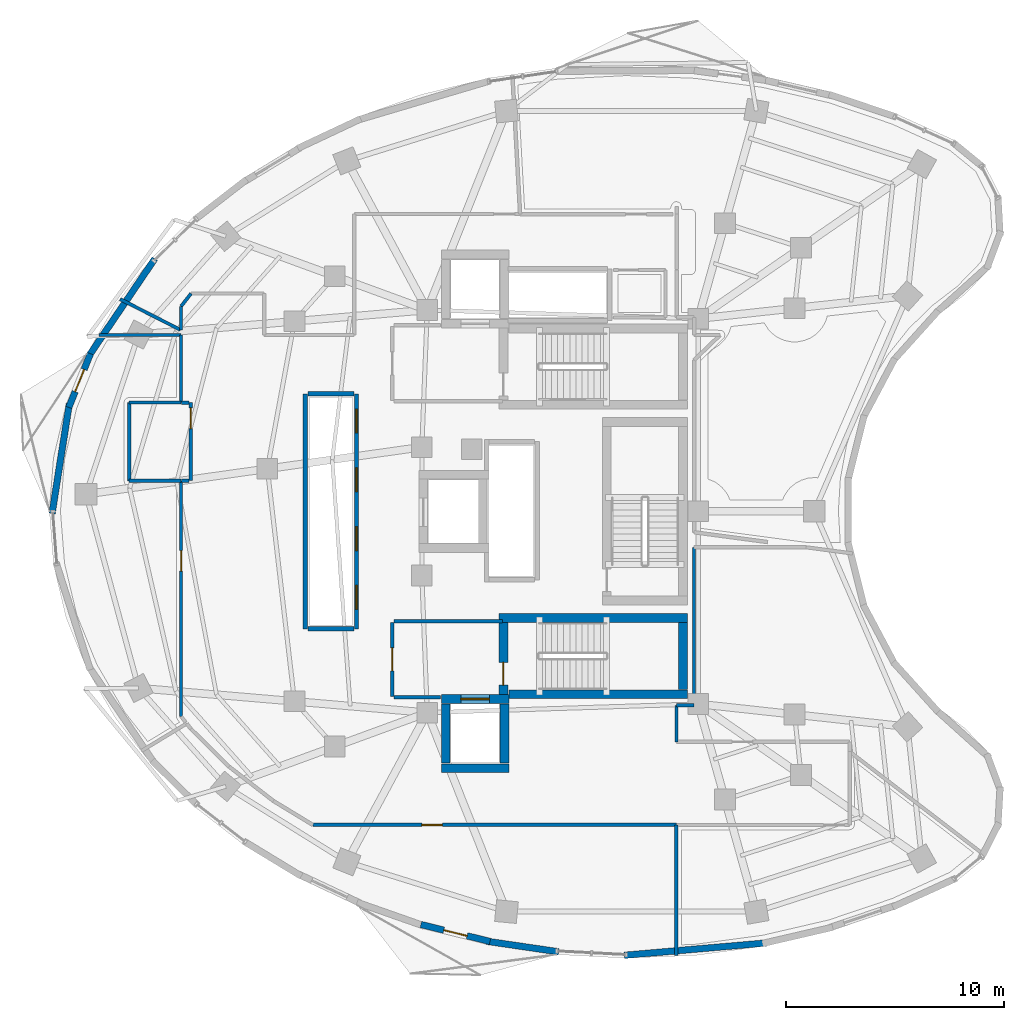
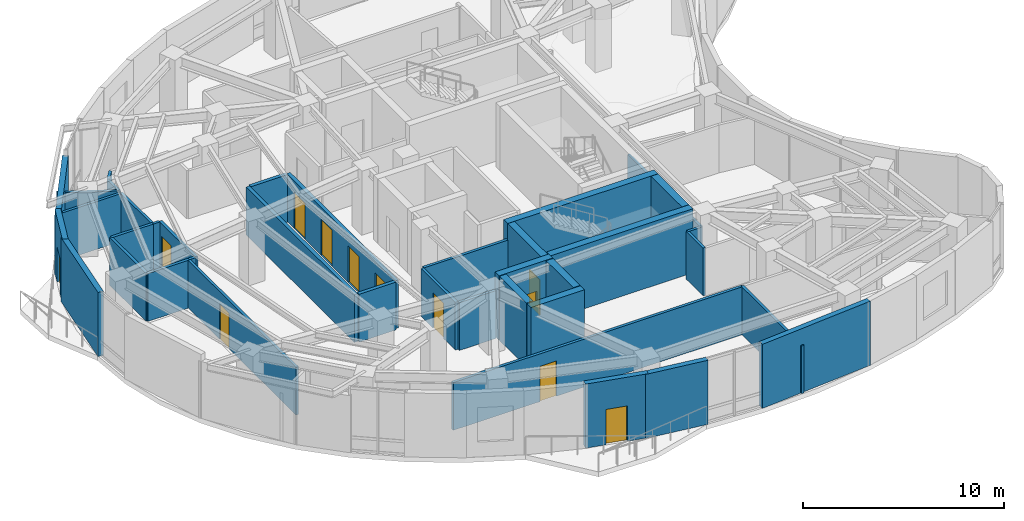
# One storey, part 7 of 12: 38 walls, 12 doors, 12 openings.
"""IFC4 building model written with IfcOpenShell, lengths in metres."""

from ifc_helpers import new_model, si_unit, direction, frame, frame_2d, origin, place, context, subcontext, project, spatial, rectangle, extrude, material, layer, layer_set, type_object, element, fill, save


model = new_model("IFC4")

# Units and contexts
model_context = context("Model", 3, precision=1e-05, world=origin(), true_north=direction((0.0, 1.0)))
body_context = subcontext(model_context, "Body", "Model", "MODEL_VIEW")
ifc_project = project(units=[si_unit("LENGTHUNIT", "METRE"), si_unit("AREAUNIT", "SQUARE_METRE"), si_unit("VOLUMEUNIT", "CUBIC_METRE"), si_unit("PLANEANGLEUNIT", "RADIAN"), si_unit("MASSUNIT", "GRAM", prefix="KILO")], contexts=[model_context])

# Site, building, storey
site_placement = place(None, origin())
site = spatial("IfcSite", under=ifc_project, at=site_placement, CompositionType="ELEMENT")
building_placement = place(site_placement, origin())
building = spatial("IfcBuilding", under=site, at=building_placement, Name="Korentha Bioscience Tower", CompositionType="ELEMENT")
storey_placement = place(building_placement, frame((0.0, 0.0, 179.39990234375)))
storey = spatial("IfcBuildingStorey", under=building, at=storey_placement, Name="L41", CompositionType="ELEMENT", Elevation=179.39990234375)

# Wall, opening, door
ifc_material_1 = material(Name="Double-Stud Acoustic Gypsum", Category="gypsum")
ifc_layer_1 = layer(ifc_material_1, 0.14990234375, Name="Double-Stud Acoustic Gypsum")
ifc_layer_set_1 = layer_set([ifc_layer_1], Name="Double-Stud Acoustic Gypsum (IW-L150)")
wall_type_1 = type_object("IfcWallType", Name="Acoustic Laboratory Partition Wall 150", PredefinedType="PARTITIONING", material=ifc_layer_set_1)
wall_1_placement = place(storey_placement, frame((13.7900390625, 28.389892578125, 0.0), z_axis=(0.0, 0.0, 1.0), x_axis=(0.0, -1.0, 0.0)))
wall_1 = element("IfcWall", 1, at=wall_1_placement, inside=storey, type_object=wall_type_1, Name="L41 Staff Pantry Kitchenette 01 Entrance Wall", PredefinedType="PARTITIONING", context=body_context, shape_type="SweptSolid", body=[
    extrude(rectangle(XDim=10.807373046875, YDim=0.14990234375, at=frame_2d((5.40380859375, 0.0))), origin(), (0.0, 0.0, 1.0), 2.91015625),
])
opening_1_placement = place(wall_1_placement, frame((3.19189453125, 0.0, 0.0)))
opening_1 = element("IfcOpeningElement", 2, at=opening_1_placement, cuts=wall_1, Name="Opening ID-10R", PredefinedType="OPENING", context=body_context, shape_type="SweptSolid", body=[
    extrude(rectangle(XDim=0.949951171875, YDim=2.14990234375, at=frame_2d((0.47509765625, 1.074951171875))), frame((0.0, 0.08984375, 0.0), z_axis=(0.0, -1.0, 0.0), x_axis=(1.0, 0.0, 0.0)), (0.0, 0.0, 1.0), 0.1796875),
])
ifc_material_2 = material(Name="Phenolic Laminate Timber Core", Category="wood")
door_type_1 = type_object("IfcDoorType", Name="Laboratory Single Leaf Door 950x2150 Right", OperationType="SINGLE_SWING_RIGHT", PredefinedType="DOOR", material=ifc_material_2)
door_1_placement = place(opening_1_placement, origin())
door_1 = element("IfcDoor", 3, at=door_1_placement, inside=storey, type_object=door_type_1, Name="L41 Staff Pantry Kitchenette 01 Door", OperationType="SINGLE_SWING_RIGHT", OverallHeight=2.14990234375, OverallWidth=0.949951171875, PredefinedType="DOOR", context=body_context, shape_type="SweptSolid", body=[
    extrude(rectangle(XDim=0.949951171875, YDim=2.14990234375, at=frame_2d((0.47509765625, 1.074951171875))), frame((0.0, 0.02490234375, 0.0), z_axis=(0.0, -1.0, 0.0), x_axis=(1.0, 0.0, 0.0)), (0.0, 0.0, 1.0), 0.050048828125),
])
fill(opening_1, door_1)

# Walls
wall_2_placement = place(storey_placement, frame((10.016357421875, 35.097900390625, 0.0), z_axis=(0.0, 0.0, 1.0), x_axis=(1.0, 0.0, 0.0)))
element("IfcWall", 4, at=wall_2_placement, inside=storey, type_object=wall_type_1, Name="L41 Interior Partition 016", PredefinedType="PARTITIONING", context=body_context, shape_type="SweptSolid", body=[
    extrude(rectangle(XDim=3.773681640625, YDim=0.14990234375, at=frame_2d((1.88671875, 0.0))), origin(), (0.0, 0.0, 1.0), 2.91015625),
])
wall_3_placement = place(storey_placement, frame((13.7900390625, 35.097900390625, 0.0), z_axis=(0.0, 0.0, 1.0), x_axis=(0.0, -1.0, 0.0)))
element("IfcWall", 5, at=wall_3_placement, inside=storey, type_object=wall_type_1, Name="L41 Interior Partition 017", PredefinedType="PARTITIONING", context=body_context, shape_type="SweptSolid", body=[
    extrude(rectangle(XDim=3.087890625, YDim=0.14990234375, at=frame_2d((1.5439453125, 0.0))), origin(), (0.0, 0.0, 1.0), 2.91015625),
])
wall_4_placement = place(storey_placement, frame((36.552001953125, 18.090087890625, 0.0), z_axis=(0.0, 0.0, 1.0), x_axis=(1.0, 0.0, 0.0)))
element("IfcWall", 6, at=wall_4_placement, inside=storey, type_object=wall_type_1, Name="L41 Interior Partition 027", PredefinedType="PARTITIONING", context=body_context, shape_type="SweptSolid", body=[
    extrude(rectangle(XDim=0.798095703125, YDim=0.14990234375, at=frame_2d((0.39892578125, 0.0))), origin(), (0.0, 0.0, 1.0), 2.91015625),
])
wall_5_placement = place(storey_placement, frame((37.360107421875, 18.10009765625, 0.0), z_axis=(0.0, 0.0, 1.0), x_axis=(0.0, 1.0, 0.0)))
element("IfcWall", 7, at=wall_5_placement, inside=storey, type_object=wall_type_1, Name="L41 Interior Partition 028", PredefinedType="PARTITIONING", context=body_context, shape_type="SweptSolid", body=[
    extrude(rectangle(XDim=7.247802734375, YDim=0.14990234375, at=frame_2d((3.6240234375, 0.0))), origin(), (0.0, 0.0, 1.0), 2.91015625),
])
wall_6_placement = place(storey_placement, frame((36.552001953125, 16.409912109375, 0.0), z_axis=(0.0, 0.0, 1.0), x_axis=(0.0, 1.0, 0.0)))
element("IfcWall", 8, at=wall_6_placement, inside=storey, type_object=wall_type_1, Name="L41 Interior Partition 032", PredefinedType="PARTITIONING", context=body_context, shape_type="SweptSolid", body=[
    extrude(rectangle(XDim=1.68017578125, YDim=0.14990234375, at=frame_2d((0.840087890625, 0.0))), origin(), (0.0, 0.0, 1.0), 2.91015625),
])
wall_7_placement = place(storey_placement, frame((14.24755859375, 37.006103515625, 0.0), z_axis=(0.0, 0.0, 1.0), x_axis=(-0.616041172792, -0.787713954063, 0.0)))
element("IfcWall", 9, at=wall_7_placement, inside=storey, type_object=wall_type_1, Name="L41 Interior Partition 049", PredefinedType="PARTITIONING", context=body_context, shape_type="SweptSolid", body=[
    extrude(rectangle(XDim=0.739501953125, YDim=0.14990234375, at=frame_2d((0.36962890625, 0.0))), origin(), (0.0, 0.0, 1.0), 2.91015625),
])
wall_8_placement = place(storey_placement, frame((13.7900390625, 36.41748046875, 0.0), z_axis=(0.0, 0.0, 1.0), x_axis=(0.0, -1.0, 0.0)))
element("IfcWall", 10, at=wall_8_placement, inside=storey, type_object=wall_type_1, Name="L41 Interior Partition 050", PredefinedType="PARTITIONING", context=body_context, shape_type="SweptSolid", body=[
    extrude(rectangle(XDim=1.094482421875, YDim=0.14990234375, at=frame_2d((0.54736328125, 0.0))), origin(), (0.0, 0.0, 1.0), 2.91015625),
])
wall_9_placement = place(storey_placement, frame((13.760498046875, 35.337890625, 0.0), z_axis=(0.0, 0.0, 1.0), x_axis=(-0.890989702295, 0.454023513053, 0.0)))
element("IfcWall", 11, at=wall_9_placement, inside=storey, type_object=wall_type_1, Name="L41 Interior Partition 051", PredefinedType="PARTITIONING", context=body_context, shape_type="SweptSolid", body=[
    extrude(rectangle(XDim=3.10595703125, YDim=0.14990234375, at=frame_2d((1.552978515625, 0.0))), origin(), (0.0, 0.0, 1.0), 2.91015625),
])

# Wall, opening, door
ifc_material_3 = material(Name="Gypsum-Clad Steel Stud", Category="steel")
ifc_layer_2 = layer(ifc_material_3, 0.159912109375, Name="Gypsum-Clad Steel Stud")
ifc_layer_set_2 = layer_set([ifc_layer_2], Name="Gypsum-Clad Steel Stud (IW-C160)")
wall_type_2 = type_object("IfcWallType", Name="Fire-Rated Corridor Partition Wall 160", PredefinedType="PARTITIONING", material=ifc_layer_set_2)
wall_10_placement = place(storey_placement, frame((23.5, 18.5, 0.0), z_axis=(0.0, 0.0, 1.0), x_axis=(0.0, 1.0, 0.0)))
wall_10 = element("IfcWall", 12, at=wall_10_placement, inside=storey, type_object=wall_type_2, Name="L41 FFLS-CW Rated Enclosure Wall", PredefinedType="PARTITIONING", context=body_context, shape_type="SweptSolid", body=[
    extrude(rectangle(XDim=3.39990234375, YDim=0.159912109375, at=frame_2d((1.699951171875, 0.0))), origin(), (0.0, 0.0, 1.0), 2.91015625),
])
opening_2_placement = place(wall_10_placement, frame((1.175048828125, 0.0, 0.0)))
opening_2 = element("IfcOpeningElement", 13, at=opening_2_placement, cuts=wall_10, Name="Opening FD-90R", PredefinedType="OPENING", context=body_context, shape_type="SweptSolid", body=[
    extrude(rectangle(XDim=1.050048828125, YDim=2.14990234375, at=frame_2d((0.52490234375, 1.074951171875))), frame((0.0, 0.0947265625, 0.0), z_axis=(0.0, -1.0, 0.0), x_axis=(1.0, 0.0, 0.0)), (0.0, 0.0, 1.0), 0.189697265625),
])
ifc_material_4 = material(Name="Powder-Coated Fire-Rated Steel", Category="steel")
door_type_2 = type_object("IfcDoorType", Name="Stairwell Fire Exit Door 1050x2150 Right", OperationType="SINGLE_SWING_RIGHT", PredefinedType="DOOR", material=ifc_material_4)
door_2_placement = place(opening_2_placement, origin())
door_2 = element("IfcDoor", 14, at=door_2_placement, inside=storey, type_object=door_type_2, Name="L41 South Firefighting Lobby Door", OperationType="SINGLE_SWING_RIGHT", OverallHeight=2.14990234375, OverallWidth=1.050048828125, PredefinedType="DOOR", context=body_context, shape_type="SweptSolid", body=[
    extrude(rectangle(XDim=1.050048828125, YDim=2.14990234375, at=frame_2d((0.52490234375, 1.074951171875))), frame((0.0, 0.02490234375, 0.0), z_axis=(0.0, -1.0, 0.0), x_axis=(1.0, 0.0, 0.0)), (0.0, 0.0, 1.0), 0.050048828125),
])
fill(opening_2, door_2)

# Walls
wall_11_placement = place(storey_placement, frame((23.580078125, 21.949951171875, 0.0), z_axis=(0.0, 0.0, 1.0), x_axis=(1.0, 0.0, 0.0)))
element("IfcWall", 15, at=wall_11_placement, inside=storey, type_object=wall_type_2, Name="L41 Firefighting Lobby Return Wall FFLS-N", PredefinedType="PARTITIONING", context=body_context, shape_type="SweptSolid", body=[
    extrude(rectangle(XDim=4.969970703125, YDim=0.159912109375, at=frame_2d((2.48486328125, 0.0))), origin(), (0.0, 0.0, 1.0), 2.91015625),
])
wall_12_placement = place(storey_placement, frame((23.580078125, 18.449951171875, 0.0), z_axis=(0.0, 0.0, 1.0), x_axis=(1.0, 0.0, 0.0)))
element("IfcWall", 16, at=wall_12_placement, inside=storey, type_object=wall_type_2, Name="L41 Firefighting Lobby Return Wall FFLS-S", PredefinedType="PARTITIONING", context=body_context, shape_type="SweptSolid", body=[
    extrude(rectangle(XDim=2.119873046875, YDim=0.159912109375, at=frame_2d((1.06005859375, 0.0))), origin(), (0.0, 0.0, 1.0), 2.91015625),
])

# Wall, opening, door
wall_13_placement = place(storey_placement, frame((14.239990234375, 31.989990234375, 0.0), z_axis=(0.0, 0.0, 1.0), x_axis=(0.0, -1.0, 0.0)))
wall_13 = element("IfcWall", 17, at=wall_13_placement, inside=storey, type_object=wall_type_2, Name="L41 Reclaimed Bank-1 North Data Closet Entrance Wall", PredefinedType="PARTITIONING", context=body_context, shape_type="SweptSolid", body=[
    extrude(rectangle(XDim=3.580078125, YDim=0.159912109375, at=frame_2d((1.7900390625, 0.0))), origin(), (0.0, 0.0, 1.0), 2.91015625),
])
opening_3_placement = place(wall_13_placement, frame((0.239990234375, 0.0, 0.0)))
opening_3 = element("IfcOpeningElement", 18, at=opening_3_placement, cuts=wall_13, Name="Opening ID-10L", PredefinedType="OPENING", context=body_context, shape_type="SweptSolid", body=[
    extrude(rectangle(XDim=0.949951171875, YDim=2.14990234375, at=frame_2d((0.47509765625, 1.074951171875))), frame((0.0, 0.0947265625, 0.0), z_axis=(0.0, -1.0, 0.0), x_axis=(1.0, 0.0, 0.0)), (0.0, 0.0, 1.0), 0.189697265625),
])
door_type_3 = type_object("IfcDoorType", Name="Laboratory Single Leaf Door 950x2150 Left", OperationType="SINGLE_SWING_LEFT", PredefinedType="DOOR", material=ifc_material_2)
door_3_placement = place(opening_3_placement, origin())
door_3 = element("IfcDoor", 19, at=door_3_placement, inside=storey, type_object=door_type_3, Name="L41 Reclaimed Bank-1 North Data Closet Door", OperationType="SINGLE_SWING_LEFT", OverallHeight=2.14990234375, OverallWidth=0.949951171875, PredefinedType="DOOR", context=body_context, shape_type="SweptSolid", body=[
    extrude(rectangle(XDim=0.949951171875, YDim=2.14990234375, at=frame_2d((0.47509765625, 1.074951171875))), frame((0.0, 0.02490234375, 0.0), z_axis=(0.0, -1.0, 0.0), x_axis=(1.0, 0.0, 0.0)), (0.0, 0.0, 1.0), 0.050048828125),
])
fill(opening_3, door_3)

wall_14_placement = place(storey_placement, frame((19.849853515625, 12.590087890625, 0.0), z_axis=(0.0, 0.0, 1.0), x_axis=(1.0, 0.0, 0.0)))
wall_14 = element("IfcWall", 20, at=wall_14_placement, inside=storey, type_object=wall_type_2, Name="L41 Biospecimen Archive Store 02 Entrance Wall", PredefinedType="PARTITIONING", context=body_context, shape_type="SweptSolid", body=[
    extrude(rectangle(XDim=16.6982421875, YDim=0.159912109375, at=frame_2d((8.34912109375, 0.0))), origin(), (0.0, 0.0, 1.0), 2.91015625),
])
opening_4_placement = place(wall_14_placement, frame((4.9990234375, 0.0, 0.0)))
opening_4 = element("IfcOpeningElement", 21, at=opening_4_placement, cuts=wall_14, Name="Opening ID-10L", PredefinedType="OPENING", context=body_context, shape_type="SweptSolid", body=[
    extrude(rectangle(XDim=0.949951171875, YDim=2.14990234375, at=frame_2d((0.47509765625, 1.074951171875))), frame((0.0, 0.0947265625, 0.0), z_axis=(0.0, -1.0, 0.0), x_axis=(1.0, 0.0, 0.0)), (0.0, 0.0, 1.0), 0.189697265625),
])
door_4_placement = place(opening_4_placement, origin())
door_4 = element("IfcDoor", 22, at=door_4_placement, inside=storey, type_object=door_type_3, Name="L41 Biospecimen Archive Store 02 Door", OperationType="SINGLE_SWING_LEFT", OverallHeight=2.14990234375, OverallWidth=0.949951171875, PredefinedType="DOOR", context=body_context, shape_type="SweptSolid", body=[
    extrude(rectangle(XDim=0.949951171875, YDim=2.14990234375, at=frame_2d((0.47509765625, 1.074951171875))), frame((0.0, 0.02490234375, 0.0), z_axis=(0.0, -1.0, 0.0), x_axis=(1.0, 0.0, 0.0)), (0.0, 0.0, 1.0), 0.050048828125),
])
fill(opening_4, door_4)

# Walls
for number, where, z_axis, x_axis, name in (
    (23, (13.800048828125, 31.989990234375, 0.0), (0.0, 0.0, 1.0), (1.0, 0.0, 0.0), "L41 Interior Partition 011"),
    (24, (14.156982421875, 28.409912109375, 0.0), (0.0, 0.0, 1.0), (-1.0, 0.0, 0.0), "L41 Interior Partition 012"),
):
    element("IfcWall", number, at=place(storey_placement, frame(where, z_axis=z_axis, x_axis=x_axis)), inside=storey, type_object=wall_type_2, Name=name, PredefinedType="PARTITIONING", context=body_context, shape_type="SweptSolid", body=[
        extrude(rectangle(XDim=0.35693359375, YDim=0.159912109375, at=frame_2d((0.178466796875, 0.0))), origin(), (0.0, 0.0, 1.0), 2.91015625),
    ])
wall_15_placement = place(storey_placement, frame((13.7900390625, 28.39990234375, 0.0), z_axis=(0.0, 0.0, 1.0), x_axis=(-1.0, 0.0, 0.0)))
element("IfcWall", 25, at=wall_15_placement, inside=storey, type_object=wall_type_2, Name="L41 Interior Partition 013", PredefinedType="PARTITIONING", context=body_context, shape_type="SweptSolid", body=[
    extrude(rectangle(XDim=2.39013671875, YDim=0.159912109375, at=frame_2d((1.195068359375, 0.0))), origin(), (0.0, 0.0, 1.0), 2.91015625),
])
wall_16_placement = place(storey_placement, frame((11.39990234375, 28.39990234375, 0.0), z_axis=(0.0, 0.0, 1.0), x_axis=(0.0, 1.0, 0.0)))
element("IfcWall", 26, at=wall_16_placement, inside=storey, type_object=wall_type_2, Name="L41 Interior Partition 014", PredefinedType="PARTITIONING", context=body_context, shape_type="SweptSolid", body=[
    extrude(rectangle(XDim=3.60009765625, YDim=0.159912109375, at=frame_2d((1.800048828125, 0.0))), origin(), (0.0, 0.0, 1.0), 2.91015625),
])
wall_17_placement = place(storey_placement, frame((11.39990234375, 32.0, 0.0), z_axis=(0.0, 0.0, 1.0), x_axis=(1.0, 0.0, 0.0)))
element("IfcWall", 27, at=wall_17_placement, inside=storey, type_object=wall_type_2, Name="L41 Interior Partition 015", PredefinedType="PARTITIONING", context=body_context, shape_type="SweptSolid", body=[
    extrude(rectangle(XDim=2.39013671875, YDim=0.159912109375, at=frame_2d((1.195068359375, 0.0))), origin(), (0.0, 0.0, 1.0), 2.91015625),
])
wall_18_placement = place(storey_placement, frame((36.548095703125, 12.590087890625, 0.0), z_axis=(0.0, 0.0, 1.0), x_axis=(0.0, -1.0, 0.0)))
element("IfcWall", 28, at=wall_18_placement, inside=storey, type_object=wall_type_2, Name="L41 Interior Partition 024", PredefinedType="PARTITIONING", context=body_context, shape_type="SweptSolid", body=[
    extrude(rectangle(XDim=6.00830078125, YDim=0.159912109375, at=frame_2d((3.004150390625, 0.0))), origin(), (0.0, 0.0, 1.0), 2.91015625),
])

# Wall, opening, door
ifc_material_5 = material(Name="Honed Limestone Precast Concrete C40", Category="masonry")
ifc_layer_3 = layer(ifc_material_5, 0.300048828125, Name="Honed Limestone Precast Concrete C40")
ifc_layer_set_3 = layer_set([ifc_layer_3], Name="Honed Limestone Precast Concrete C40 (EW-ST300)")
wall_type_3 = type_object("IfcWallType", Name="Honed Limestone Cavity Spandrel Wall 300", PredefinedType="STANDARD", material=ifc_layer_set_3)
wall_19_placement = place(storey_placement, frame((9.625732421875, 34.2421875, 0.0), z_axis=(0.0, 0.0, 1.0), x_axis=(-0.373983610438, -0.927435312636, 0.0)))
wall_19 = element("IfcWall", 29, at=wall_19_placement, inside=storey, type_object=wall_type_3, Name="L41 Balcony Threshold Wall 02", PredefinedType="STANDARD", context=body_context, shape_type="SweptSolid", body=[
    extrude(rectangle(XDim=2.660888671875, YDim=0.300048828125, at=frame_2d((1.33056640625, 0.0))), origin(), (0.0, 0.0, 1.0), 3.900146484375),
])
opening_5_placement = place(wall_19_placement, frame((0.780517578125, 0.0, 0.0)))
opening_5 = element("IfcOpeningElement", 30, at=opening_5_placement, cuts=wall_19, Name="Opening BD-11R", PredefinedType="OPENING", context=body_context, shape_type="SweptSolid", body=[
    extrude(rectangle(XDim=1.10009765625, YDim=2.14990234375, at=frame_2d((0.550048828125, 1.074951171875))), frame((0.0, 0.1650390625, 0.0), z_axis=(0.0, -1.0, 0.0), x_axis=(1.0, 0.0, 0.0)), (0.0, 0.0, 1.0), 0.329833984375),
])
ifc_material_6 = material(Name="Thermally Broken Glazed Aluminium", Category="aluminium")
door_type_4 = type_object("IfcDoorType", Name="Balcony Terrace Glazed Door 1100x2150 Right", OperationType="SINGLE_SWING_RIGHT", PredefinedType="DOOR", material=ifc_material_6)
door_5_placement = place(opening_5_placement, origin())
door_5 = element("IfcDoor", 31, at=door_5_placement, inside=storey, type_object=door_type_4, Name="L41 Balcony Access Door 02", OperationType="SINGLE_SWING_RIGHT", OverallHeight=2.14990234375, OverallWidth=1.10009765625, PredefinedType="DOOR", context=body_context, shape_type="SweptSolid", body=[
    extrude(rectangle(XDim=1.10009765625, YDim=2.14990234375, at=frame_2d((0.550048828125, 1.074951171875))), frame((0.0, 0.02490234375, 0.0), z_axis=(0.0, -1.0, 0.0), x_axis=(1.0, 0.0, 0.0)), (0.0, 0.0, 1.0), 0.050048828125),
])
fill(opening_5, door_5)

wall_20_placement = place(storey_placement, frame((24.806640625, 8.015625, 0.0), z_axis=(0.0, 0.0, 1.0), x_axis=(0.971312804689, -0.237805457142, 0.0)))
wall_20 = element("IfcWall", 32, at=wall_20_placement, inside=storey, type_object=wall_type_3, Name="L41 Balcony Threshold Wall 03", PredefinedType="STANDARD", context=body_context, shape_type="SweptSolid", body=[
    extrude(rectangle(XDim=3.268798828125, YDim=0.300048828125, at=frame_2d((1.63427734375, 0.0))), origin(), (0.0, 0.0, 1.0), 3.900146484375),
])
opening_6_placement = place(wall_20_placement, frame((1.08447265625, 0.0, 0.0)))
opening_6 = element("IfcOpeningElement", 33, at=opening_6_placement, cuts=wall_20, Name="Opening BD-11L", PredefinedType="OPENING", context=body_context, shape_type="SweptSolid", body=[
    extrude(rectangle(XDim=1.10009765625, YDim=2.14990234375, at=frame_2d((0.550048828125, 1.074951171875))), frame((0.0, 0.1650390625, 0.0), z_axis=(0.0, -1.0, 0.0), x_axis=(1.0, 0.0, 0.0)), (0.0, 0.0, 1.0), 0.329833984375),
])
door_type_5 = type_object("IfcDoorType", Name="Balcony Terrace Glazed Door 1100x2150 Left", OperationType="SINGLE_SWING_LEFT", PredefinedType="DOOR", material=ifc_material_6)
door_6_placement = place(opening_6_placement, origin())
door_6 = element("IfcDoor", 34, at=door_6_placement, inside=storey, type_object=door_type_5, Name="L41 Balcony Access Door 03", OperationType="SINGLE_SWING_LEFT", OverallHeight=2.14990234375, OverallWidth=1.10009765625, PredefinedType="DOOR", context=body_context, shape_type="SweptSolid", body=[
    extrude(rectangle(XDim=1.10009765625, YDim=2.14990234375, at=frame_2d((0.550048828125, 1.074951171875))), frame((0.0, 0.02490234375, 0.0), z_axis=(0.0, -1.0, 0.0), x_axis=(1.0, 0.0, 0.0)), (0.0, 0.0, 1.0), 0.050048828125),
])
fill(opening_6, door_6)

# Walls
wall_21_placement = place(storey_placement, frame((12.580078125, 38.6005859375, 0.0), z_axis=(0.0, 0.0, 1.0), x_axis=(-0.561663900064, -0.827365495634, 0.0)))
element("IfcWall", 35, at=wall_21_placement, inside=storey, type_object=wall_type_3, Name="L41 Limestone Perimeter Closure Wall 14", PredefinedType="STANDARD", context=body_context, shape_type="SweptSolid", body=[
    extrude(rectangle(XDim=5.437744140625, YDim=0.300048828125, at=frame_2d((2.71875, 0.0))), origin(), (0.0, 0.0, 1.0), 3.47021484375),
])
wall_22_placement = place(storey_placement, frame((8.6552734375, 31.947021484375, 0.0), z_axis=(0.0, 0.0, 1.0), x_axis=(-0.155280464429, -0.987870425393, 0.0)))
element("IfcWall", 36, at=wall_22_placement, inside=storey, type_object=wall_type_3, Name="L41 Limestone Perimeter Closure Wall 17", PredefinedType="STANDARD", context=body_context, shape_type="SweptSolid", body=[
    extrude(rectangle(XDim=5.10986328125, YDim=0.300048828125, at=frame_2d((2.554931640625, 0.0))), origin(), (0.0, 0.0, 1.0), 3.900146484375),
])
wall_23_placement = place(storey_placement, frame((27.826416015625, 7.247314453125, 0.0), z_axis=(0.0, 0.0, 1.0), x_axis=(0.98945927954, -0.144811374319, 0.0)))
element("IfcWall", 37, at=wall_23_placement, inside=storey, type_object=wall_type_3, Name="L41 Limestone Perimeter Closure Wall 30", PredefinedType="STANDARD", context=body_context, shape_type="SweptSolid", body=[
    extrude(rectangle(XDim=3.346435546875, YDim=0.300048828125, at=frame_2d((1.67333984375, 0.0))), origin(), (0.0, 0.0, 1.0), 3.900146484375),
])
wall_24_placement = place(storey_placement, frame((34.14892578125, 6.601318359375, 0.0), z_axis=(0.0, 0.0, 1.0), x_axis=(0.996255675021, 0.086455942472, 0.0)))
element("IfcWall", 38, at=wall_24_placement, inside=storey, type_object=wall_type_3, Name="L41 Limestone Perimeter Closure Wall 32", PredefinedType="STANDARD", context=body_context, shape_type="SweptSolid", body=[
    extrude(rectangle(XDim=6.55126953125, YDim=0.300048828125, at=frame_2d((3.275634765625, 0.0))), origin(), (0.0, 0.0, 1.0), 3.900146484375),
])
ifc_material_7 = material(Name="Autoclaved Aerated Concrete Block C25", Category="concrete")
ifc_layer_4 = layer(ifc_material_7, 0.199951171875, Name="Autoclaved Aerated Concrete Block C25")
ifc_layer_set_4 = layer_set([ifc_layer_4], Name="Autoclaved Aerated Concrete Block C25 (IW-S200)")
wall_type_4 = type_object("IfcWallType", Name="Lift and Riser Shaft Enclosure Wall 200", PredefinedType="PARTITIONING", material=ifc_layer_set_4)
wall_25_placement = place(storey_placement, frame((19.5, 21.60009765625, 0.0), z_axis=(0.0, 0.0, 1.0), x_axis=(0.0, 1.0, 0.0)))
element("IfcWall", 39, at=wall_25_placement, inside=storey, type_object=wall_type_4, Name="L41 Lift Bank MID Shaft Wall -X", PredefinedType="PARTITIONING", context=body_context, shape_type="SweptSolid", body=[
    extrude(rectangle(XDim=10.7998046875, YDim=0.199951171875, at=frame_2d((5.39990234375, 0.0))), origin(), (0.0, 0.0, 1.0), 2.91015625),
])

# Wall, openings, doors
wall_26_placement = place(storey_placement, frame((21.85009765625, 21.60009765625, 0.0), z_axis=(0.0, 0.0, 1.0), x_axis=(0.0, 1.0, 0.0)))
wall_26 = element("IfcWall", 40, at=wall_26_placement, inside=storey, type_object=wall_type_4, Name="L41 Lift Bank MID Shaft Wall +X", PredefinedType="PARTITIONING", context=body_context, shape_type="SweptSolid", body=[
    extrude(rectangle(XDim=10.7998046875, YDim=0.199951171875, at=frame_2d((5.39990234375, 0.0))), origin(), (0.0, 0.0, 1.0), 2.91015625),
])
opening_7_placement = place(wall_26_placement, frame((0.89990234375, 0.0, 0.0)))
opening_7 = element("IfcOpeningElement", 41, at=opening_7_placement, cuts=wall_26, Name="Opening LD-11", PredefinedType="OPENING", context=body_context, shape_type="SweptSolid", body=[
    extrude(rectangle(XDim=1.10009765625, YDim=2.199951171875, at=frame_2d((0.550048828125, 1.10009765625))), frame((0.0, 0.11474609375, 0.0), z_axis=(0.0, -1.0, 0.0), x_axis=(1.0, 0.0, 0.0)), (0.0, 0.0, 1.0), 0.229736328125),
])
opening_8_placement = place(wall_26_placement, frame((3.60009765625, 0.0, 0.0)))
opening_8 = element("IfcOpeningElement", 42, at=opening_8_placement, cuts=wall_26, Name="Opening LD-11", PredefinedType="OPENING", context=body_context, shape_type="SweptSolid", body=[
    extrude(rectangle(XDim=1.10009765625, YDim=2.199951171875, at=frame_2d((0.550048828125, 1.10009765625))), frame((0.0, 0.11474609375, 0.0), z_axis=(0.0, -1.0, 0.0), x_axis=(1.0, 0.0, 0.0)), (0.0, 0.0, 1.0), 0.229736328125),
])
opening_9_placement = place(wall_26_placement, frame((6.300048828125, 0.0, 0.0)))
opening_9 = element("IfcOpeningElement", 43, at=opening_9_placement, cuts=wall_26, Name="Opening LD-11", PredefinedType="OPENING", context=body_context, shape_type="SweptSolid", body=[
    extrude(rectangle(XDim=1.10009765625, YDim=2.199951171875, at=frame_2d((0.550048828125, 1.10009765625))), frame((0.0, 0.11474609375, 0.0), z_axis=(0.0, -1.0, 0.0), x_axis=(1.0, 0.0, 0.0)), (0.0, 0.0, 1.0), 0.229736328125),
])
opening_10_placement = place(wall_26_placement, frame((9.0, 0.0, 0.0)))
opening_10 = element("IfcOpeningElement", 44, at=opening_10_placement, cuts=wall_26, Name="Opening LD-11", PredefinedType="OPENING", context=body_context, shape_type="SweptSolid", body=[
    extrude(rectangle(XDim=1.10009765625, YDim=2.199951171875, at=frame_2d((0.550048828125, 1.10009765625))), frame((0.0, 0.11474609375, 0.0), z_axis=(0.0, -1.0, 0.0), x_axis=(1.0, 0.0, 0.0)), (0.0, 0.0, 1.0), 0.229736328125),
])
ifc_material_8 = material(Name="Brushed Stainless Steel 304", Category="steel")
door_type_6 = type_object("IfcDoorType", Name="Passenger Lift Sliding Landing Door 1100x2200", OperationType="DOUBLE_DOOR_SLIDING", PredefinedType="DOOR", material=ifc_material_8)
door_7_placement = place(opening_7_placement, origin())
door_7 = element("IfcDoor", 45, at=door_7_placement, inside=storey, type_object=door_type_6, Name="L41 PL-M1 Sliding Lift Landing Door", OperationType="DOUBLE_DOOR_SLIDING", OverallHeight=2.199951171875, OverallWidth=1.10009765625, PredefinedType="DOOR", context=body_context, shape_type="SweptSolid", body=[
    extrude(rectangle(XDim=1.10009765625, YDim=2.199951171875, at=frame_2d((0.550048828125, 1.10009765625))), frame((0.0, 0.02490234375, 0.0), z_axis=(0.0, -1.0, 0.0), x_axis=(1.0, 0.0, 0.0)), (0.0, 0.0, 1.0), 0.050048828125),
])
fill(opening_7, door_7)
door_8_placement = place(opening_8_placement, origin())
door_8 = element("IfcDoor", 46, at=door_8_placement, inside=storey, type_object=door_type_6, Name="L41 PL-M2 Sliding Lift Landing Door", OperationType="DOUBLE_DOOR_SLIDING", OverallHeight=2.199951171875, OverallWidth=1.10009765625, PredefinedType="DOOR", context=body_context, shape_type="SweptSolid", body=[
    extrude(rectangle(XDim=1.10009765625, YDim=2.199951171875, at=frame_2d((0.550048828125, 1.10009765625))), frame((0.0, 0.02490234375, 0.0), z_axis=(0.0, -1.0, 0.0), x_axis=(1.0, 0.0, 0.0)), (0.0, 0.0, 1.0), 0.050048828125),
])
fill(opening_8, door_8)
door_9_placement = place(opening_9_placement, origin())
door_9 = element("IfcDoor", 47, at=door_9_placement, inside=storey, type_object=door_type_6, Name="L41 PL-M3 Sliding Lift Landing Door", OperationType="DOUBLE_DOOR_SLIDING", OverallHeight=2.199951171875, OverallWidth=1.10009765625, PredefinedType="DOOR", context=body_context, shape_type="SweptSolid", body=[
    extrude(rectangle(XDim=1.10009765625, YDim=2.199951171875, at=frame_2d((0.550048828125, 1.10009765625))), frame((0.0, 0.02490234375, 0.0), z_axis=(0.0, -1.0, 0.0), x_axis=(1.0, 0.0, 0.0)), (0.0, 0.0, 1.0), 0.050048828125),
])
fill(opening_9, door_9)
door_10_placement = place(opening_10_placement, origin())
door_10 = element("IfcDoor", 48, at=door_10_placement, inside=storey, type_object=door_type_6, Name="L41 PL-M4 Sliding Lift Landing Door", OperationType="DOUBLE_DOOR_SLIDING", OverallHeight=2.199951171875, OverallWidth=1.10009765625, PredefinedType="DOOR", context=body_context, shape_type="SweptSolid", body=[
    extrude(rectangle(XDim=1.10009765625, YDim=2.199951171875, at=frame_2d((0.550048828125, 1.10009765625))), frame((0.0, 0.02490234375, 0.0), z_axis=(0.0, -1.0, 0.0), x_axis=(1.0, 0.0, 0.0)), (0.0, 0.0, 1.0), 0.050048828125),
])
fill(opening_10, door_10)

# Walls
for number, where, z_axis, x_axis, name in (
    (49, (19.6201171875, 21.60009765625, 0.0), (0.0, 0.0, 1.0), (1.0, 0.0, 0.0), "L41 Lift Bank MID Shaft Wall -Y"),
    (50, (19.6201171875, 32.39990234375, 0.0), (0.0, 0.0, 1.0), (1.0, 0.0, 0.0), "L41 Lift Bank MID Shaft Wall +Y"),
):
    element("IfcWall", number, at=place(storey_placement, frame(where, z_axis=z_axis, x_axis=x_axis)), inside=storey, type_object=wall_type_4, Name=name, PredefinedType="PARTITIONING", context=body_context, shape_type="SweptSolid", body=[
        extrude(rectangle(XDim=2.10986328125, YDim=0.199951171875, at=frame_2d((1.054931640625, 0.0))), origin(), (0.0, 0.0, 1.0), 2.91015625),
    ])
ifc_material_9 = material(Name="Concrete C65", Category="concrete")
ifc_layer_5 = layer(ifc_material_9, 0.39990234375, Name="Concrete C65")
ifc_layer_set_5 = layer_set([ifc_layer_5], Name="Concrete C65 (CW-C65)")
wall_type_5 = type_object("IfcWallType", Name="Mid-Rise Core Shear Wall 400", PredefinedType="SHEAR", material=ifc_layer_set_5)
wall_27_placement = place(storey_placement, frame((28.85205078125, 18.60009765625, 0.0), z_axis=(0.0, 0.0, 1.0), x_axis=(1.0, 0.0, 0.0)))
element("IfcWall", 51, at=wall_27_placement, inside=storey, type_object=wall_type_5, Name="L41 Core Shear Wall ST2-S", PredefinedType="SHEAR", context=body_context, shape_type="SweptSolid", body=[
    extrude(rectangle(XDim=8.197998046875, YDim=0.39990234375, at=frame_2d((4.09912109375, 0.0))), origin(), (0.0, 0.0, 1.0), 3.900146484375),
])
wall_28_placement = place(storey_placement, frame((28.39990234375, 22.10009765625, 0.0), z_axis=(0.0, 0.0, 1.0), x_axis=(1.0, 0.0, 0.0)))
element("IfcWall", 52, at=wall_28_placement, inside=storey, type_object=wall_type_5, Name="L41 Core Shear Wall ST2-N", PredefinedType="SHEAR", context=body_context, shape_type="SweptSolid", body=[
    extrude(rectangle(XDim=8.650146484375, YDim=0.39990234375, at=frame_2d((4.3251953125, 0.0))), origin(), (0.0, 0.0, 1.0), 3.900146484375),
])
wall_29_placement = place(storey_placement, frame((36.85009765625, 18.81005859375, 0.0), z_axis=(0.0, 0.0, 1.0), x_axis=(0.0, 1.0, 0.0)))
element("IfcWall", 53, at=wall_29_placement, inside=storey, type_object=wall_type_5, Name="L41 Core Shear Wall ST2-E", PredefinedType="SHEAR", context=body_context, shape_type="SweptSolid", body=[
    extrude(rectangle(XDim=3.079833984375, YDim=0.39990234375, at=frame_2d((1.5400390625, 0.0))), origin(), (0.0, 0.0, 1.0), 3.900146484375),
])

# Wall, opening, door
wall_30_placement = place(storey_placement, frame((28.60009765625, 18.58203125, 0.0), z_axis=(0.0, 0.0, 1.0), x_axis=(0.0, 1.0, 0.0)))
wall_30 = element("IfcWall", 54, at=wall_30_placement, inside=storey, type_object=wall_type_5, Name="L41 Core Shear Wall ST2-W", PredefinedType="SHEAR", context=body_context, shape_type="SweptSolid", body=[
    extrude(rectangle(XDim=3.307861328125, YDim=0.39990234375, at=frame_2d((1.65380859375, 0.0))), origin(), (0.0, 0.0, 1.0), 3.900146484375),
])
opening_11_placement = place(wall_30_placement, frame((0.427978515625, 0.0, 0.0)))
opening_11 = element("IfcOpeningElement", 55, at=opening_11_placement, cuts=wall_30, Name="Opening FD-90R", PredefinedType="OPENING", context=body_context, shape_type="SweptSolid", body=[
    extrude(rectangle(XDim=1.050048828125, YDim=2.14990234375, at=frame_2d((0.52490234375, 1.074951171875))), frame((0.0, 0.21484375, 0.0), z_axis=(0.0, -1.0, 0.0), x_axis=(1.0, 0.0, 0.0)), (0.0, 0.0, 1.0), 0.4296875),
])
door_11_placement = place(opening_11_placement, origin())
door_11 = element("IfcDoor", 56, at=door_11_placement, inside=storey, type_object=door_type_2, Name="L41 ST-2 Fire Exit Stair Door", OperationType="SINGLE_SWING_RIGHT", OverallHeight=2.14990234375, OverallWidth=1.050048828125, PredefinedType="DOOR", context=body_context, shape_type="SweptSolid", body=[
    extrude(rectangle(XDim=1.050048828125, YDim=2.14990234375, at=frame_2d((0.52490234375, 1.074951171875))), frame((0.0, 0.02490234375, 0.0), z_axis=(0.0, -1.0, 0.0), x_axis=(1.0, 0.0, 0.0)), (0.0, 0.0, 1.0), 0.050048828125),
])
fill(opening_11, door_11)

# Wall
wall_31_placement = place(storey_placement, frame((25.75, 15.199951171875, 0.0), z_axis=(0.0, 0.0, 1.0), x_axis=(1.0, 0.0, 0.0)))
element("IfcWall", 57, at=wall_31_placement, inside=storey, type_object=wall_type_5, Name="L41 Core Shear Wall FFL1-S", PredefinedType="SHEAR", context=body_context, shape_type="SweptSolid", body=[
    extrude(rectangle(XDim=3.10009765625, YDim=0.39990234375, at=frame_2d((1.550048828125, 0.0))), origin(), (0.0, 0.0, 1.0), 3.900146484375),
])

# Wall, opening, door
wall_32_placement = place(storey_placement, frame((25.75, 18.3798828125, 0.0), z_axis=(0.0, 0.0, 1.0), x_axis=(1.0, 0.0, 0.0)))
wall_32 = element("IfcWall", 58, at=wall_32_placement, inside=storey, type_object=wall_type_5, Name="L41 Core Shear Wall FFL1-N", PredefinedType="SHEAR", context=body_context, shape_type="SweptSolid", body=[
    extrude(rectangle(XDim=3.10009765625, YDim=0.39990234375, at=frame_2d((1.550048828125, 0.0))), origin(), (0.0, 0.0, 1.0), 3.900146484375),
])
opening_12_placement = place(wall_32_placement, frame((0.89990234375, 0.0, 0.0)))
opening_12 = element("IfcOpeningElement", 59, at=opening_12_placement, cuts=wall_32, Name="Opening LD-13", PredefinedType="OPENING", context=body_context, shape_type="SweptSolid", body=[
    extrude(rectangle(XDim=1.300048828125, YDim=2.199951171875, at=frame_2d((0.64990234375, 1.10009765625))), frame((0.0, 0.21484375, 0.0), z_axis=(0.0, -1.0, 0.0), x_axis=(1.0, 0.0, 0.0)), (0.0, 0.0, 1.0), 0.4296875),
])
ifc_material_10 = material(Name="Brushed Stainless Steel 316", Category="steel")
door_type_7 = type_object("IfcDoorType", Name="Service & Firefighting Lift Landing Door 1300x2300", OperationType="DOUBLE_DOOR_SLIDING", PredefinedType="DOOR", material=ifc_material_10)
door_12_placement = place(opening_12_placement, origin())
door_12 = element("IfcDoor", 60, at=door_12_placement, inside=storey, type_object=door_type_7, Name="L41 FFL-1 Sliding Lift Landing Door", OperationType="DOUBLE_DOOR_SLIDING", OverallHeight=2.199951171875, OverallWidth=1.300048828125, PredefinedType="DOOR", context=body_context, shape_type="SweptSolid", body=[
    extrude(rectangle(XDim=1.300048828125, YDim=2.199951171875, at=frame_2d((0.64990234375, 1.10009765625))), frame((0.0, 0.02490234375, 0.0), z_axis=(0.0, -1.0, 0.0), x_axis=(1.0, 0.0, 0.0)), (0.0, 0.0, 1.0), 0.050048828125),
])
fill(opening_12, door_12)

# Walls
for number, where, z_axis, x_axis, name in (
    (61, (25.949951171875, 15.43994140625, 0.0), (0.0, 0.0, 1.0), (0.0, 1.0, 0.0), "L41 Core Shear Wall FFL1-W"),
    (62, (28.64990234375, 15.43994140625, 0.0), (0.0, 0.0, 1.0), (0.0, 1.0, 0.0), "L41 Core Shear Wall FFL1-E"),
):
    element("IfcWall", number, at=place(storey_placement, frame(where, z_axis=z_axis, x_axis=x_axis)), inside=storey, type_object=wall_type_5, Name=name, PredefinedType="SHEAR", context=body_context, shape_type="SweptSolid", body=[
        extrude(rectangle(XDim=2.699951171875, YDim=0.39990234375, at=frame_2d((1.35009765625, 0.0))), origin(), (0.0, 0.0, 1.0), 3.900146484375),
    ])

save(model, "model.ifc")
